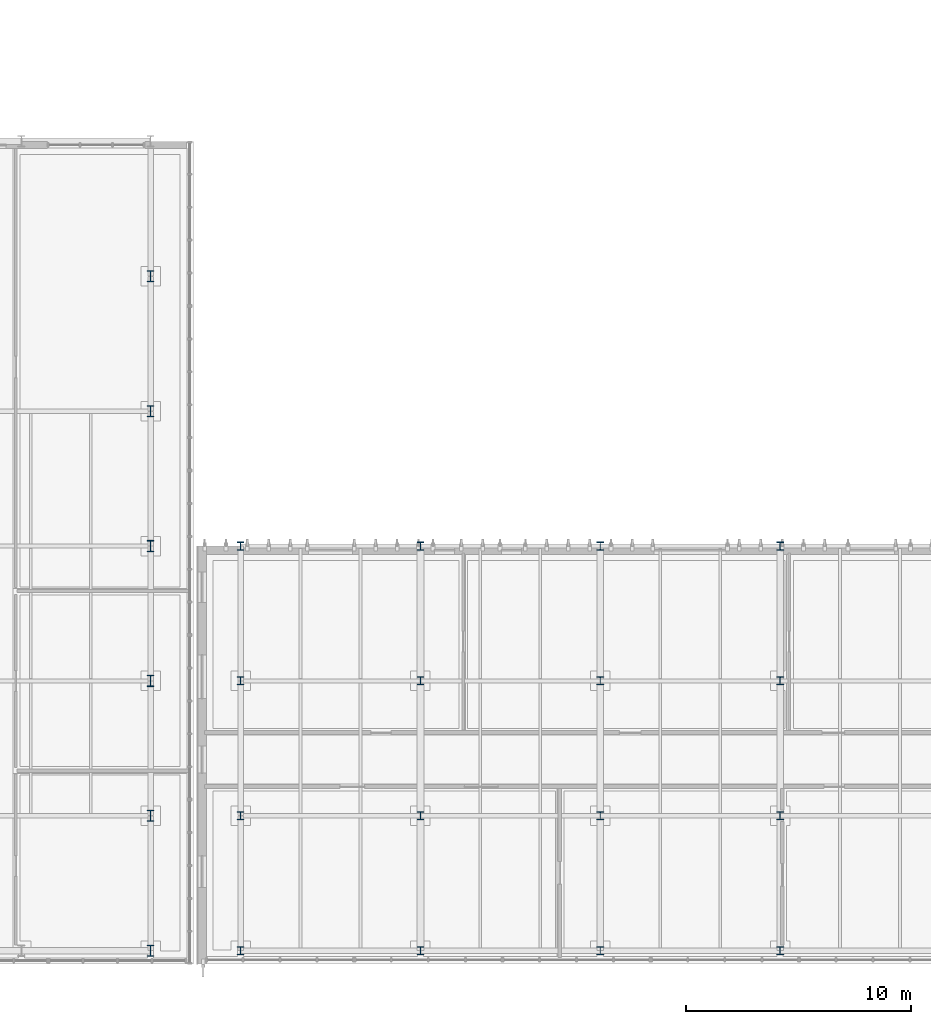
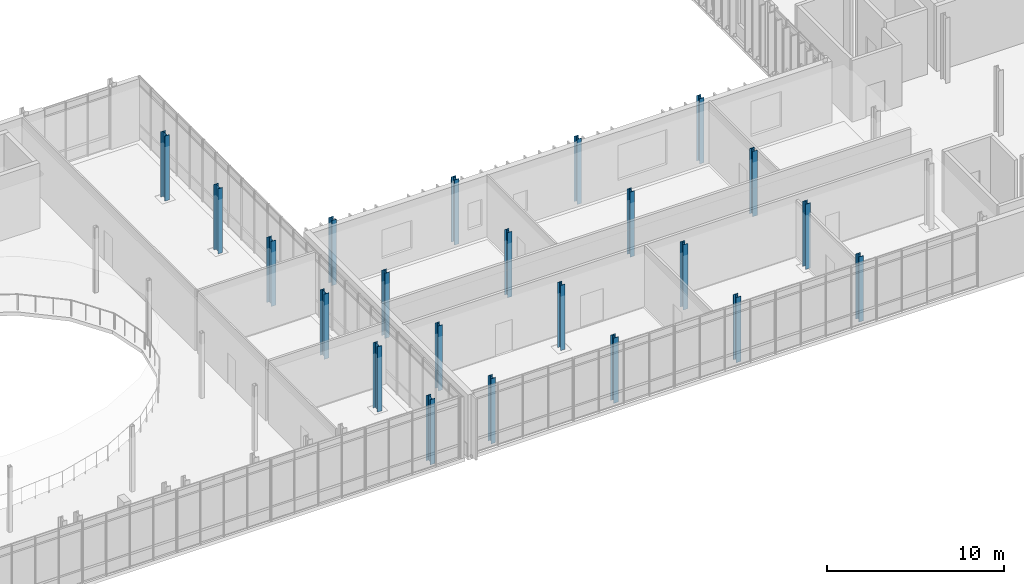
# One storey, part 8 of 100: 22 columns.
"""IFC4 building model written with IfcOpenShell, lengths in metres."""

from ifc_helpers import new_model, si_unit, direction, frame, origin, origin_2d, place, context, subcontext, project, spatial, i_section, extrude, material, material_profile, profile_set, type_object, element, save


model = new_model("IFC4")

# Units and contexts
model_context = context("Model", 3, precision=1e-05, world=origin(), true_north=direction((0.0, 1.0)))
body_context = subcontext(model_context, "Body", "Model", "MODEL_VIEW")
ifc_project = project(units=[si_unit("LENGTHUNIT", "METRE"), si_unit("AREAUNIT", "SQUARE_METRE"), si_unit("VOLUMEUNIT", "CUBIC_METRE"), si_unit("PLANEANGLEUNIT", "RADIAN"), si_unit("MASSUNIT", "GRAM", prefix="KILO")], contexts=[model_context])

# Site, building, storey
site_placement = place(None, origin())
site = spatial("IfcSite", under=ifc_project, at=site_placement, CompositionType="ELEMENT")
building_placement = place(site_placement, origin())
building = spatial("IfcBuilding", under=site, at=building_placement, Name="Cymarion Research Institute", CompositionType="ELEMENT")
storey_placement = place(building_placement, frame((0.0, 0.0, 9.300048828125)))
storey = spatial("IfcBuildingStorey", under=building, at=storey_placement, Name="L02", CompositionType="ELEMENT", Elevation=9.300048828125)

# Columns
ifc_material = material(Name="Steel S355", Category="steel")
ifc_material_profile_1 = material_profile(ifc_material, i_section(OverallWidth=0.300048828125, OverallDepth=0.5, WebThickness=0.014404296875, FlangeThickness=0.028076171875, FilletRadius=0.027099609375, at=origin_2d()), Name="HEB 500")
ifc_profile_set_1 = profile_set([ifc_material_profile_1], Name="Steel S355")
column_type_1 = type_object("IfcColumnType", Name="STRUCTURAL COLUMN C04 HEB 500", PredefinedType="COLUMN", material=ifc_profile_set_1)
for number, where, z_axis, x_axis, name in (
    (1, (102.60009765625, 5.5, 0.0), (0.0, 0.0, 1.0), (1.0, 0.0, 0.0), "L02 V2 column C04 #811"),
    (2, (102.60009765625, 11.5, 0.0), (0.0, 0.0, 1.0), (1.0, 0.0, 0.0), "L02 V2 column C04 #812"),
    (3, (102.60009765625, 17.5, 0.0), (0.0, 0.0, 1.0), (1.0, 0.0, 0.0), "L02 V2 column C04 #813"),
    (4, (102.60009765625, 23.5, 0.0), (0.0, 0.0, 1.0), (1.0, 0.0, 0.0), "L02 V2 column C04 #814"),
    (5, (102.60009765625, 29.5, 0.0), (0.0, 0.0, 1.0), (1.0, 0.0, 0.0), "L02 V2 column C04 #815"),
    (6, (102.60009765625, 35.5, 0.0), (0.0, 0.0, 1.0), (1.0, 0.0, 0.0), "L02 V2 column C04 #816"),
):
    element("IfcColumn", number, at=place(storey_placement, frame(where, z_axis=z_axis, x_axis=x_axis)), inside=storey, type_object=column_type_1, Name=name, PredefinedType="COLUMN", context=body_context, shape_type="SweptSolid", body=[
        extrude(i_section(OverallWidth=0.300048828125, OverallDepth=0.5, WebThickness=0.014404296875, FlangeThickness=0.028076171875, FilletRadius=0.027099609375, at=origin_2d()), origin(), (0.0, 0.0, 1.0), 4.5),
    ])
ifc_material_profile_2 = material_profile(ifc_material, i_section(OverallWidth=0.300048828125, OverallDepth=0.360107421875, WebThickness=0.012451171875, FlangeThickness=0.0224609375, FilletRadius=0.027099609375, at=origin_2d()), Name="HEB 360")
ifc_profile_set_2 = profile_set([ifc_material_profile_2], Name="Steel S355")
column_type_2 = type_object("IfcColumnType", Name="STRUCTURAL COLUMN C07 HEB 360", PredefinedType="COLUMN", material=ifc_profile_set_2)
for number, where, z_axis, x_axis, name in (
    (7, (106.60009765625, 5.5, 0.0), (0.0, 0.0, 1.0), (1.0, 0.0, 0.0), "L02 V1 column C07 #818"),
    (8, (106.60009765625, 11.5, 0.0), (0.0, 0.0, 1.0), (1.0, 0.0, 0.0), "L02 V1 column C07 #819"),
    (9, (106.60009765625, 17.5, 0.0), (0.0, 0.0, 1.0), (1.0, 0.0, 0.0), "L02 V1 column C07 #820"),
    (10, (106.60009765625, 23.5, 0.0), (0.0, 0.0, 1.0), (1.0, 0.0, 0.0), "L02 V1 column C07 #821"),
    (11, (114.60009765625, 5.5, 0.0), (0.0, 0.0, 1.0), (1.0, 0.0, 0.0), "L02 V1 column C07 #822"),
    (12, (114.60009765625, 11.5, 0.0), (0.0, 0.0, 1.0), (1.0, 0.0, 0.0), "L02 V1 column C07 #823"),
    (13, (114.60009765625, 17.5, 0.0), (0.0, 0.0, 1.0), (1.0, 0.0, 0.0), "L02 V1 column C07 #824"),
    (14, (114.60009765625, 23.5, 0.0), (0.0, 0.0, 1.0), (1.0, 0.0, 0.0), "L02 V1 column C07 #825"),
    (15, (122.60009765625, 5.5, 0.0), (0.0, 0.0, 1.0), (1.0, 0.0, 0.0), "L02 V1 column C07 #826"),
    (16, (122.60009765625, 11.5, 0.0), (0.0, 0.0, 1.0), (1.0, 0.0, 0.0), "L02 V1 column C07 #827"),
    (17, (122.60009765625, 17.5, 0.0), (0.0, 0.0, 1.0), (1.0, 0.0, 0.0), "L02 V1 column C07 #828"),
    (18, (122.60009765625, 23.5, 0.0), (0.0, 0.0, 1.0), (1.0, 0.0, 0.0), "L02 V1 column C07 #829"),
    (19, (130.60009765625, 5.5, 0.0), (0.0, 0.0, 1.0), (1.0, 0.0, 0.0), "L02 V1 column C07 #830"),
    (20, (130.60009765625, 11.5, 0.0), (0.0, 0.0, 1.0), (1.0, 0.0, 0.0), "L02 V1 column C07 #831"),
    (21, (130.60009765625, 17.5, 0.0), (0.0, 0.0, 1.0), (1.0, 0.0, 0.0), "L02 V1 column C07 #832"),
    (22, (130.60009765625, 23.5, 0.0), (0.0, 0.0, 1.0), (1.0, 0.0, 0.0), "L02 V1 column C07 #833"),
):
    element("IfcColumn", number, at=place(storey_placement, frame(where, z_axis=z_axis, x_axis=x_axis)), inside=storey, type_object=column_type_2, Name=name, PredefinedType="COLUMN", context=body_context, shape_type="SweptSolid", body=[
        extrude(i_section(OverallWidth=0.300048828125, OverallDepth=0.360107421875, WebThickness=0.012451171875, FlangeThickness=0.0224609375, FilletRadius=0.027099609375, at=origin_2d()), origin(), (0.0, 0.0, 1.0), 4.5),
    ])

save(model, "model.ifc")
